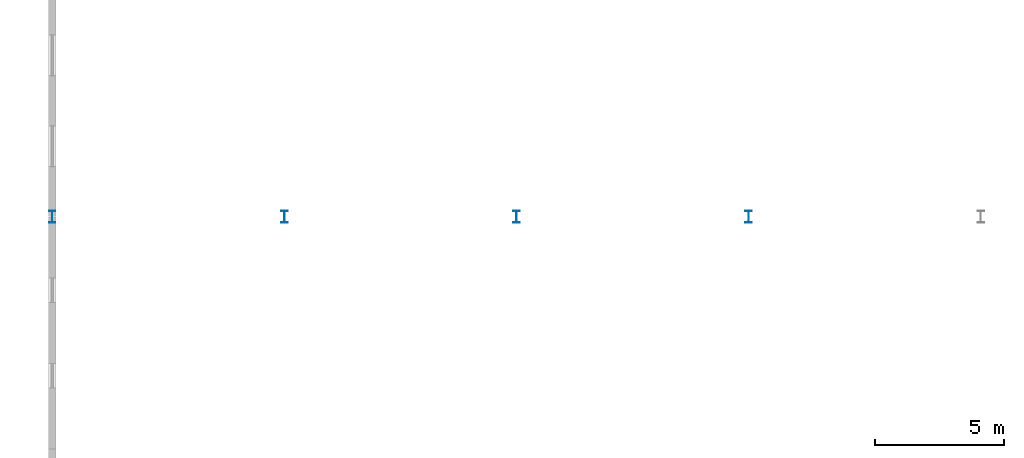
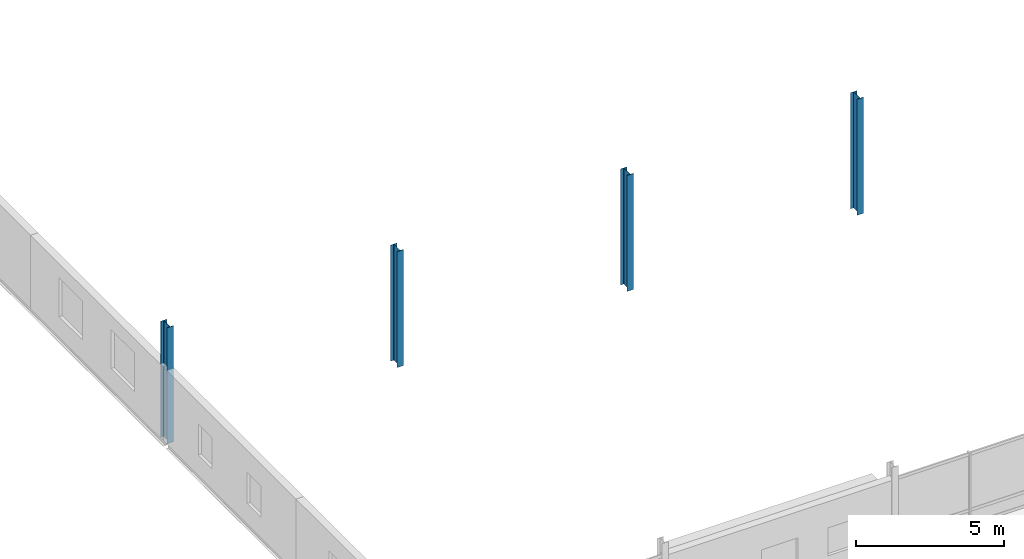
# One storey, part 11 of 132: 4 columns.
"""IFC4 building model written with IfcOpenShell, lengths in metres."""

import ifcopenshell
import ifcopenshell.guid

model = None  # the IFC model being written
_history = None  # IfcOwnerHistory: only IFC2X3 demands one
_inside = {}  # id of a spatial element -> (the spatial element, [elements in it])
_under = {}  # id of a project, library or spatial element -> (it, [spatial elements below it])
_declared = {}  # id of a project -> (the project, [libraries it declares])
_typed = {}  # id of a type object -> (the type object, [elements of that type])
_made_of = {}  # id of a material, layer set ... -> (it, [elements and type objects made of it])


def new_model(schema):
    """Start an empty IFC model of exactly this schema.

    Asked for "IFC4X3", IfcOpenShell would pick the latest addendum, in which some entities
    have other attributes; the version numbers below select the first issue.
    IFC2X3 requires an IfcOwnerHistory on every rooted entity: one is made here for all.
    """
    global model, _history
    if schema == "IFC4X3":
        model = ifcopenshell.file(schema_version=(4, 3, 0, 0))
    else:
        model = ifcopenshell.file(schema=schema)
    _inside.clear()
    _under.clear()
    _declared.clear()
    _typed.clear()
    _made_of.clear()
    _history = None
    if model.schema == "IFC2X3":
        org = make("IfcOrganization", Name="unknown")
        user = make(
            "IfcPersonAndOrganization",
            ThePerson=make("IfcPerson", FamilyName="unknown"),
            TheOrganization=org,
        )
        app = make(
            "IfcApplication",
            ApplicationDeveloper=org,
            Version="unknown",
            ApplicationFullName="unknown",
            ApplicationIdentifier="unknown",
        )
        _history = make(
            "IfcOwnerHistory",
            OwningUser=user,
            OwningApplication=app,
            ChangeAction="ADDED",
            CreationDate=0,
        )
    return model


def make(cls, **values):
    """One entity of the class cls with the attributes given. An attribute that is None is left unset."""
    return model.create_entity(
        cls, **{name: value for name, value in values.items() if value is not None}
    )


def rooted(cls, **values):
    """An entity with a GlobalId (a new one), such as an element, a storey or a relation."""
    return make(cls, GlobalId=ifcopenshell.guid.new(), OwnerHistory=_history, **values)


def si_unit(unit_type, name, prefix=None):
    """IfcSIUnit, for example si_unit("LENGTHUNIT", "METRE", prefix="MILLI")."""
    return make("IfcSIUnit", UnitType=unit_type, Prefix=prefix, Name=name)


def assignment(units):
    """IfcUnitAssignment: the units of a project."""
    return None if units is None else make("IfcUnitAssignment", Units=units)


def point(xyz):
    """IfcCartesianPoint."""
    return None if xyz is None else make("IfcCartesianPoint", Coordinates=xyz)


def direction(xyz):
    """IfcDirection."""
    return None if xyz is None else make("IfcDirection", DirectionRatios=xyz)


def frame(location, z_axis=None, x_axis=None):
    """IfcAxis2Placement3D, a coordinate frame: its origin and axes. An axis left out is left unset."""
    return make(
        "IfcAxis2Placement3D",
        Location=point(location),
        Axis=direction(z_axis),
        RefDirection=direction(x_axis),
    )


def frame_2d(location, x_axis=None):
    """IfcAxis2Placement2D, a coordinate frame in the plane: its origin and x axis."""
    return make(
        "IfcAxis2Placement2D", Location=point(location), RefDirection=direction(x_axis)
    )


def origin():
    """The frame at (0, 0, 0) with its axes left unset."""
    return frame((0.0, 0.0, 0.0))


def origin_2d():
    """The frame at (0, 0) in the plane with its x axis left unset."""
    return frame_2d((0.0, 0.0))


def place(relative_to, where):
    """IfcLocalPlacement: puts the frame where relative to a parent placement (None: the world)."""
    return make(
        "IfcLocalPlacement", PlacementRelTo=relative_to, RelativePlacement=where
    )


def context(
    kind, dimensions, precision=None, world=None, true_north=None, identifier=None
):
    """IfcGeometricRepresentationContext, for example the 3D "Model" context."""
    return make(
        "IfcGeometricRepresentationContext",
        ContextIdentifier=identifier,
        ContextType=kind,
        CoordinateSpaceDimension=dimensions,
        Precision=precision,
        WorldCoordinateSystem=world,
        TrueNorth=true_north,
    )


def subcontext(parent, identifier, kind, view, scale=None):
    """IfcGeometricRepresentationSubContext, for example "Body" below "Model"."""
    return make(
        "IfcGeometricRepresentationSubContext",
        ContextIdentifier=identifier,
        ContextType=kind,
        ParentContext=parent,
        TargetScale=scale,
        TargetView=view,
    )


def project(units=None, contexts=None):
    """IfcProject with its units and contexts."""
    return rooted(
        "IfcProject",
        Name="project",
        RepresentationContexts=contexts,
        UnitsInContext=assignment(units),
    )


def spatial(cls, under=None, at=None, **own):
    """A site, building, storey or space (cls), placed at a placement, below another one or the project."""
    s = rooted(cls, ObjectPlacement=at, **own)
    if under is not None:
        _under.setdefault(under.id(), (under, []))[1].append(s)
    return s


def profile(cls, at=None, kind="AREA", **sizes):
    """A parametric profile (cls). Its sizes go by their IFC names, for example OverallWidth=200.0."""
    return make(cls, ProfileType=kind, Position=at, **sizes)


def i_section(**sizes):
    """IfcIShapeProfileDef."""
    return profile("IfcIShapeProfileDef", **sizes)


def extrude(swept, where, along, depth):
    """IfcExtrudedAreaSolid: the profile swept, set in the frame where, extruded along a direction by depth."""
    return make(
        "IfcExtrudedAreaSolid",
        SweptArea=swept,
        Position=where,
        ExtrudedDirection=direction(along),
        Depth=depth,
    )


def shape(context_of_items, identifier, shape_type, items):
    """IfcShapeRepresentation: the items that make up one representation, for example the "Body"."""
    return make(
        "IfcShapeRepresentation",
        ContextOfItems=context_of_items,
        RepresentationIdentifier=identifier,
        RepresentationType=shape_type,
        Items=items,
    )


def material(Name=None, Category=None):
    """IfcMaterial."""
    return make("IfcMaterial", Name=Name, Category=Category)


def material_profile(
    of_material, cross_section, Name=None, Category=None, Priority=None
):
    """IfcMaterialProfile: a cross section and its material."""
    return make(
        "IfcMaterialProfile",
        Name=Name,
        Material=of_material,
        Profile=cross_section,
        Priority=Priority,
        Category=Category,
    )


def profile_set(profiles, Name=None, composite=None):
    """IfcMaterialProfileSet."""
    return make(
        "IfcMaterialProfileSet",
        Name=Name,
        MaterialProfiles=profiles,
        CompositeProfile=composite,
    )


def made_of(thing, what):
    """Note that an element or type object is made of a material, layer set ...; save() writes the relation."""
    if what is not None:
        _made_of.setdefault(what.id(), (what, []))[1].append(thing)
    return thing


def type_object(cls, material=None, **own):
    """A type object (cls), such as IfcWallType, which elements share."""
    return made_of(rooted(cls, **own), material)


def element(
    cls,
    number,
    at=None,
    inside=None,
    cuts=None,
    type_object=None,
    material=None,
    context=None,
    identifier="Body",
    shape_type=None,
    held_by="IfcProductDefinitionShape",
    body=None,
    shapes=None,
    **own,
):
    """One element of the class cls, such as IfcWall. Its Tag is "e" and its number.

    at: its placement. inside: the storey or other place that contains it. cuts: it is an
    opening in that element (IfcRelVoidsElement). A single representation is given by context,
    identifier, shape_type and body (its items); several are given by shapes. held_by: the class
    of the entity that holds the representations. save() writes the other relations.
    """
    e = rooted(cls, Tag="e%d" % number, ObjectPlacement=at, **own)
    if body is not None:
        shapes = [shape(context, identifier, shape_type, body)]
    if shapes is not None:
        e.Representation = make(held_by, Representations=shapes)
    if inside is not None:
        _inside.setdefault(inside.id(), (inside, []))[1].append(e)
    if cuts is not None:
        rooted(
            "IfcRelVoidsElement", RelatingBuildingElement=cuts, RelatedOpeningElement=e
        )
    if type_object is not None:
        _typed.setdefault(type_object.id(), (type_object, []))[1].append(e)
    return made_of(e, material)


def aggregate(whole, parts):
    """IfcRelAggregates: a whole, such as a stair, and the parts it consists of."""
    return rooted("IfcRelAggregates", RelatingObject=whole, RelatedObjects=parts)


def save(model, path):
    """Write the relations noted so far, then the file.

    IfcRelAggregates (storeys below a building ...), IfcRelContainedInSpatialStructure (elements
    in a storey), IfcRelDefinesByType, IfcRelAssociatesMaterial and IfcRelDeclares: one each for
    every whole, place, type object, material and project.
    """
    for whole, parts in _under.values():
        aggregate(whole, parts)
    for where, things in _inside.values():
        rooted(
            "IfcRelContainedInSpatialStructure",
            RelatedElements=things,
            RelatingStructure=where,
        )
    for kind, things in _typed.values():
        rooted("IfcRelDefinesByType", RelatedObjects=things, RelatingType=kind)
    for what, things in _made_of.values():
        rooted("IfcRelAssociatesMaterial", RelatedObjects=things, RelatingMaterial=what)
    for by, libraries in _declared.values():
        rooted("IfcRelDeclares", RelatingContext=by, RelatedDefinitions=libraries)
    model.write(path)


model = new_model("IFC4")

# Units and contexts
model_context = context("Model", 3, precision=1e-05, world=origin(), true_north=direction((0.0, 1.0)))
body_context = subcontext(model_context, "Body", "Model", "MODEL_VIEW")
ifc_project = project(units=[si_unit("LENGTHUNIT", "METRE"), si_unit("AREAUNIT", "SQUARE_METRE"), si_unit("VOLUMEUNIT", "CUBIC_METRE"), si_unit("PLANEANGLEUNIT", "RADIAN"), si_unit("MASSUNIT", "GRAM", prefix="KILO")], contexts=[model_context])

# Site, building, storey
site_placement = place(None, origin())
site = spatial("IfcSite", under=ifc_project, at=site_placement, CompositionType="ELEMENT")
building_placement = place(site_placement, origin())
building = spatial("IfcBuilding", under=site, at=building_placement, Name="Tharagai Park Tramway Depot", CompositionType="ELEMENT")
storey_placement = place(building_placement, frame((0.0, 0.0, 4.800048828125)))
storey = spatial("IfcBuildingStorey", under=building, at=storey_placement, Name="L01", CompositionType="ELEMENT", Elevation=4.800048828125)

# Columns
ifc_material = material(Name="Steel E350", Category="steel")
ifc_material_profile = material_profile(ifc_material, i_section(OverallWidth=0.25, OverallDepth=0.449951171875, WebThickness=0.01123046875, FlangeThickness=0.013671875, FilletRadius=0.014892578125, at=origin_2d()), Name="ISHB 450")
ifc_profile_set = profile_set([ifc_material_profile], Name="Steel E350")
column_type = type_object("IfcColumnType", Name="CL-01", PredefinedType="COLUMN", material=ifc_profile_set)
for number, where, z_axis, x_axis, name in (
    (1, (0.0, 117.0, 0.0), (0.0, 0.0, 1.0), (1.0, 0.0, 0.0), "Shed Stanchion CL-01 (0,117)"),
    (2, (9.0, 117.0, 0.0), (0.0, 0.0, 1.0), (1.0, 0.0, 0.0), "Shed Stanchion CL-01 (9,117)"),
    (3, (18.0, 117.0, 0.0), (0.0, 0.0, 1.0), (1.0, 0.0, 0.0), "Shed Stanchion CL-01 (18,117)"),
    (4, (27.0, 117.0, 0.0), (0.0, 0.0, 1.0), (1.0, 0.0, 0.0), "Shed Stanchion CL-01 (27,117)"),
):
    element("IfcColumn", number, at=place(storey_placement, frame(where, z_axis=z_axis, x_axis=x_axis)), inside=storey, type_object=column_type, Name=name, PredefinedType="COLUMN", context=body_context, shape_type="SweptSolid", body=[
        extrude(i_section(OverallWidth=0.25, OverallDepth=0.449951171875, WebThickness=0.01123046875, FlangeThickness=0.013671875, FilletRadius=0.014892578125, at=origin_2d()), origin(), (0.0, 0.0, 1.0), 4.800048828125),
    ])

save(model, "model.ifc")
